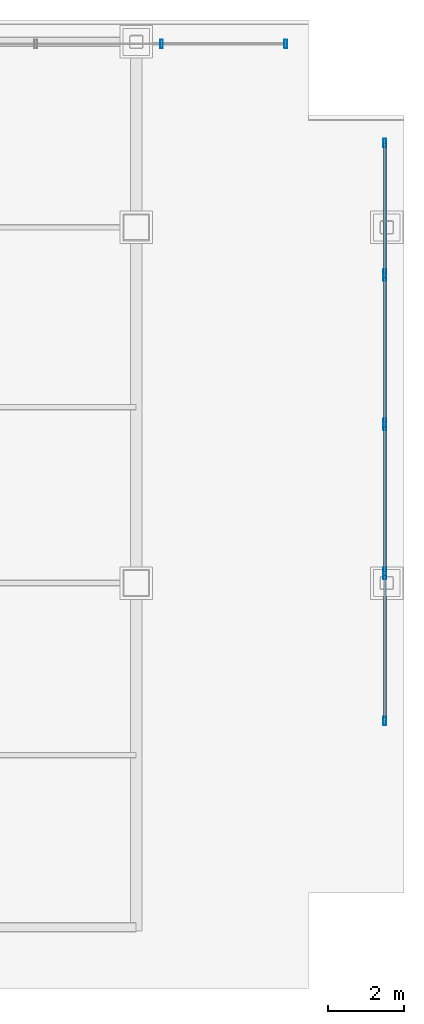
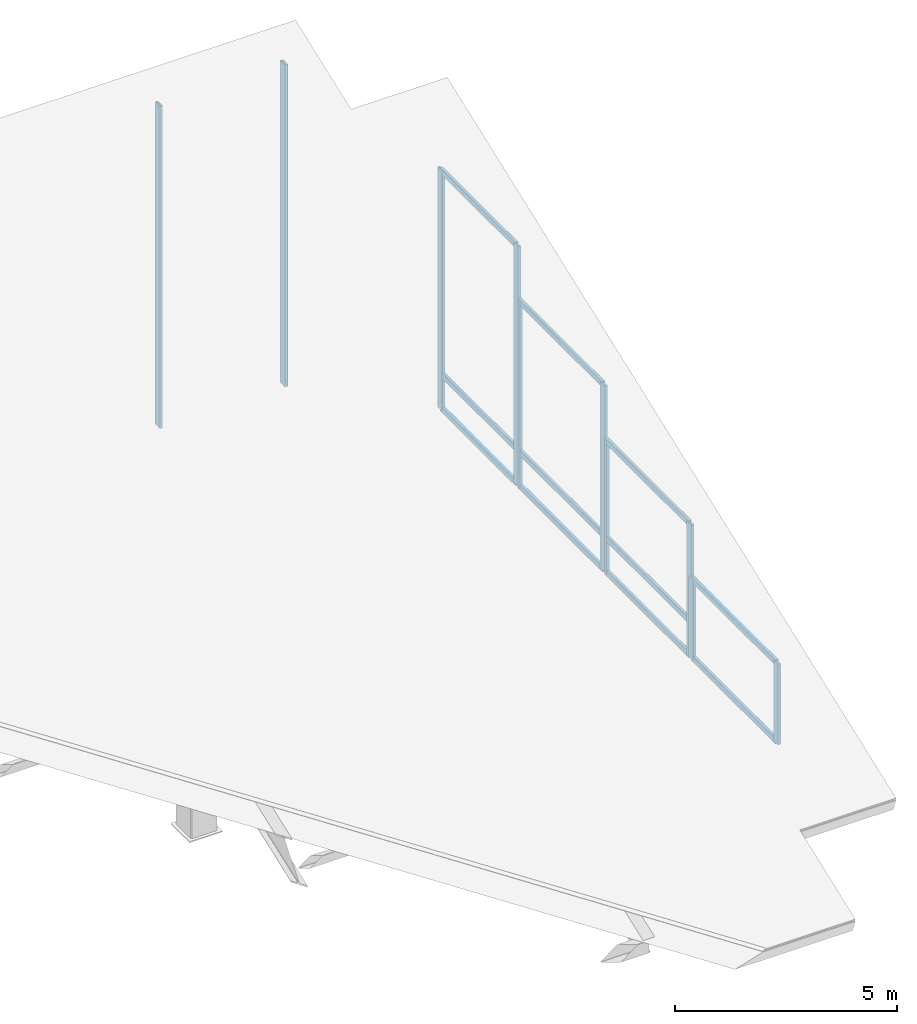
# One storey, part 10 of 12: 21 members, 5 elements without a shape of their own.
"""IFC4 building model written with IfcOpenShell, lengths in metres."""

from ifc_helpers import new_model, si_unit, direction, frame, origin, origin_2d, place, context, subcontext, project, spatial, hollow_rectangle, extrude, material, material_profile, profile_set, type_object, element, aggregate, save


model = new_model("IFC4")

# Units and contexts
model_context = context("Model", 3, precision=1e-05, world=origin(), true_north=direction((0.0, 1.0)))
body_context = subcontext(model_context, "Body", "Model", "MODEL_VIEW")
ifc_project = project(units=[si_unit("LENGTHUNIT", "METRE"), si_unit("AREAUNIT", "SQUARE_METRE"), si_unit("VOLUMEUNIT", "CUBIC_METRE"), si_unit("PLANEANGLEUNIT", "RADIAN"), si_unit("MASSUNIT", "GRAM", prefix="KILO")], contexts=[model_context])

# Site, building, storey
site_placement = place(None, origin())
site = spatial("IfcSite", under=ifc_project, at=site_placement, CompositionType="ELEMENT")
building_placement = place(site_placement, origin())
building = spatial("IfcBuilding", under=site, at=building_placement, Name="Noeulbin Bourse Tower", CompositionType="ELEMENT")
storey_placement = place(building_placement, frame((0.0, 0.0, 317.39990234375)))
storey = spatial("IfcBuildingStorey", under=building, at=storey_placement, Name="RF", CompositionType="ELEMENT", Elevation=317.39990234375)

# Curtain wall, members
ifc_material_1 = material(Name="Translucent Ceramic-Fritted Glass", Category="glass")
curtain_wall_type = type_object("IfcCurtainWallType", Name="CW-SYS-5", PredefinedType="NOTDEFINED", material=ifc_material_1)
curtain_wall_1_placement = place(storey_placement, origin())
curtain_wall_1 = element("IfcCurtainWall", 1, at=curtain_wall_1_placement, inside=storey, type_object=curtain_wall_type, Name="Unitised Curtain Wall CW-RF-CRN-N", PredefinedType="NOTDEFINED")
ifc_material_2 = material(Name="Anodised Aluminium 6063-T6", Category="aluminium")
ifc_material_profile_1 = material_profile(ifc_material_2, hollow_rectangle(XDim=0.074951171875, YDim=0.219970703125, WallThickness=0.0048828125, InnerFilletRadius=0.00244140625, OuterFilletRadius=0.0048828125, at=origin_2d()), Name="ALU-MULL-75x220x5", Category="LoadBearing")
ifc_profile_set_1 = profile_set([ifc_material_profile_1], Name="Anodised Aluminium 6063-T6")
member_type_1 = type_object("IfcMemberType", Name="CW-SYS-5-MUL", PredefinedType="MULLION", material=ifc_profile_set_1)
member_1_placement = place(storey_placement, frame((44.659912109375, 43.10009765625, -0.02001953125), z_axis=(0.0, 0.0, 1.0), x_axis=(1.0, 0.0, 0.0)))
member_1 = element("IfcMember", 2, at=member_1_placement, type_object=member_type_1, Name="Curtain Wall Mullion CW-RF-CRN-N-M09", PredefinedType="MULLION", context=body_context, shape_type="SweptSolid", body=[
    extrude(hollow_rectangle(XDim=0.074951171875, YDim=0.219970703125, WallThickness=0.0048828125, InnerFilletRadius=0.00244140625, OuterFilletRadius=0.0048828125, at=origin_2d()), origin(), (0.0, 0.0, 1.0), 8.851318359375),
])
member_2_placement = place(storey_placement, frame((47.909912109375, 43.10009765625, -0.02001953125), z_axis=(0.0, 0.0, 1.0), x_axis=(1.0, 0.0, 0.0)))
member_2 = element("IfcMember", 3, at=member_2_placement, type_object=member_type_1, Name="Curtain Wall Mullion CW-RF-CRN-N-M10", PredefinedType="MULLION", context=body_context, shape_type="SweptSolid", body=[
    extrude(hollow_rectangle(XDim=0.074951171875, YDim=0.219970703125, WallThickness=0.0048828125, InnerFilletRadius=0.00244140625, OuterFilletRadius=0.0048828125, at=origin_2d()), origin(), (0.0, 0.0, 1.0), 8.851318359375),
])
aggregate(curtain_wall_1, [member_1, member_2])

curtain_wall_2_placement = place(storey_placement, origin())
curtain_wall_2 = element("IfcCurtainWall", 4, at=curtain_wall_2_placement, inside=storey, type_object=curtain_wall_type, Name="Unitised Curtain Wall CW-RF-CRN-E2", PredefinedType="NOTDEFINED")
member_3_placement = place(storey_placement, frame((50.5, 25.389892578125, -0.02001953125), z_axis=(0.0, 0.0, 1.0), x_axis=(1.0, 0.0, 0.0)))
member_3 = element("IfcMember", 5, at=member_3_placement, type_object=member_type_1, Name="Curtain Wall Mullion CW-RF-CRN-E2-M00", PredefinedType="MULLION", context=body_context, shape_type="SweptSolid", body=[
    extrude(hollow_rectangle(XDim=0.074951171875, YDim=0.219970703125, WallThickness=0.0048828125, InnerFilletRadius=0.00244140625, OuterFilletRadius=0.0048828125, at=origin_2d()), origin(), (0.0, 0.0, 1.0), 2.21484375),
])
member_4_placement = place(storey_placement, frame((50.5, 29.2099609375, -0.02001953125), z_axis=(0.0, 0.0, 1.0), x_axis=(1.0, 0.0, 0.0)))
member_4 = element("IfcMember", 6, at=member_4_placement, type_object=member_type_1, Name="Curtain Wall Mullion CW-RF-CRN-E2-M01", PredefinedType="MULLION", context=body_context, shape_type="SweptSolid", body=[
    extrude(hollow_rectangle(XDim=0.074951171875, YDim=0.219970703125, WallThickness=0.0048828125, InnerFilletRadius=0.00244140625, OuterFilletRadius=0.0048828125, at=origin_2d()), origin(), (0.0, 0.0, 1.0), 2.21484375),
])

curtain_wall_3_placement = place(storey_placement, origin())
curtain_wall_3 = element("IfcCurtainWall", 7, at=curtain_wall_3_placement, inside=storey, type_object=curtain_wall_type, Name="Unitised Curtain Wall CW-RF-CRN-E3", PredefinedType="NOTDEFINED")
member_5_placement = place(storey_placement, frame((50.5, 29.2900390625, -0.02001953125), z_axis=(0.0, 0.0, 1.0), x_axis=(1.0, 0.0, 0.0)))
member_5 = element("IfcMember", 8, at=member_5_placement, type_object=member_type_1, Name="Curtain Wall Mullion CW-RF-CRN-E3-M00", PredefinedType="MULLION", context=body_context, shape_type="SweptSolid", body=[
    extrude(hollow_rectangle(XDim=0.074951171875, YDim=0.219970703125, WallThickness=0.0048828125, InnerFilletRadius=0.00244140625, OuterFilletRadius=0.0048828125, at=origin_2d()), origin(), (0.0, 0.0, 1.0), 3.673095703125),
])
member_6_placement = place(storey_placement, frame((50.5, 33.110107421875, -0.02001953125), z_axis=(0.0, 0.0, 1.0), x_axis=(1.0, 0.0, 0.0)))
member_6 = element("IfcMember", 9, at=member_6_placement, type_object=member_type_1, Name="Curtain Wall Mullion CW-RF-CRN-E3-M01", PredefinedType="MULLION", context=body_context, shape_type="SweptSolid", body=[
    extrude(hollow_rectangle(XDim=0.074951171875, YDim=0.219970703125, WallThickness=0.0048828125, InnerFilletRadius=0.00244140625, OuterFilletRadius=0.0048828125, at=origin_2d()), origin(), (0.0, 0.0, 1.0), 3.673095703125),
])

curtain_wall_4_placement = place(storey_placement, origin())
curtain_wall_4 = element("IfcCurtainWall", 10, at=curtain_wall_4_placement, inside=storey, type_object=curtain_wall_type, Name="Unitised Curtain Wall CW-RF-CRN-E4", PredefinedType="NOTDEFINED")
member_7_placement = place(storey_placement, frame((50.5, 33.18994140625, -0.02001953125), z_axis=(0.0, 0.0, 1.0), x_axis=(1.0, 0.0, 0.0)))
member_7 = element("IfcMember", 11, at=member_7_placement, type_object=member_type_1, Name="Curtain Wall Mullion CW-RF-CRN-E4-M00", PredefinedType="MULLION", context=body_context, shape_type="SweptSolid", body=[
    extrude(hollow_rectangle(XDim=0.074951171875, YDim=0.219970703125, WallThickness=0.0048828125, InnerFilletRadius=0.00244140625, OuterFilletRadius=0.0048828125, at=origin_2d()), origin(), (0.0, 0.0, 1.0), 5.131103515625),
])
member_8_placement = place(storey_placement, frame((50.5, 37.010009765625, -0.02001953125), z_axis=(0.0, 0.0, 1.0), x_axis=(1.0, 0.0, 0.0)))
member_8 = element("IfcMember", 12, at=member_8_placement, type_object=member_type_1, Name="Curtain Wall Mullion CW-RF-CRN-E4-M01", PredefinedType="MULLION", context=body_context, shape_type="SweptSolid", body=[
    extrude(hollow_rectangle(XDim=0.074951171875, YDim=0.219970703125, WallThickness=0.0048828125, InnerFilletRadius=0.00244140625, OuterFilletRadius=0.0048828125, at=origin_2d()), origin(), (0.0, 0.0, 1.0), 5.131103515625),
])

curtain_wall_5_placement = place(storey_placement, origin())
curtain_wall_5 = element("IfcCurtainWall", 13, at=curtain_wall_5_placement, inside=storey, type_object=curtain_wall_type, Name="Unitised Curtain Wall CW-RF-CRN-E5", PredefinedType="NOTDEFINED")
member_9_placement = place(storey_placement, frame((50.5, 37.090087890625, -0.02001953125), z_axis=(0.0, 0.0, 1.0), x_axis=(1.0, 0.0, 0.0)))
member_9 = element("IfcMember", 14, at=member_9_placement, type_object=member_type_1, Name="Curtain Wall Mullion CW-RF-CRN-E5-M00", PredefinedType="MULLION", context=body_context, shape_type="SweptSolid", body=[
    extrude(hollow_rectangle(XDim=0.074951171875, YDim=0.219970703125, WallThickness=0.0048828125, InnerFilletRadius=0.00244140625, OuterFilletRadius=0.0048828125, at=origin_2d()), origin(), (0.0, 0.0, 1.0), 6.58935546875),
])
member_10_placement = place(storey_placement, frame((50.5, 40.510009765625, -0.02001953125), z_axis=(0.0, 0.0, 1.0), x_axis=(1.0, 0.0, 0.0)))
member_10 = element("IfcMember", 15, at=member_10_placement, type_object=member_type_1, Name="Curtain Wall Mullion CW-RF-CRN-E5-M01", PredefinedType="MULLION", context=body_context, shape_type="SweptSolid", body=[
    extrude(hollow_rectangle(XDim=0.074951171875, YDim=0.219970703125, WallThickness=0.0048828125, InnerFilletRadius=0.00244140625, OuterFilletRadius=0.0048828125, at=origin_2d()), origin(), (0.0, 0.0, 1.0), 6.58935546875),
])

# Member
ifc_material_profile_2 = material_profile(ifc_material_2, hollow_rectangle(XDim=0.074951171875, YDim=0.159912109375, WallThickness=0.0048828125, InnerFilletRadius=0.00244140625, OuterFilletRadius=0.0048828125, at=origin_2d()), Name="ALU-TRAN-75x160x5", Category="LoadBearing")
ifc_profile_set_2 = profile_set([ifc_material_profile_2], Name="Anodised Aluminium 6063-T6")
member_type_2 = type_object("IfcMemberType", Name="CW-SYS-5-TRN", PredefinedType="USERDEFINED", material=ifc_profile_set_2)
member_11_placement = place(storey_placement, frame((50.5, 25.39990234375, 0.010009765625), z_axis=(0.0, 1.0, 0.0), x_axis=(-1.0, 0.0, 0.0)))
member_11 = element("IfcMember", 16, at=member_11_placement, type_object=member_type_2, Name="Curtain Wall Transom CW-RF-CRN-E2-T00", ObjectType="TRANSOM", PredefinedType="USERDEFINED", context=body_context, shape_type="SweptSolid", body=[
    extrude(hollow_rectangle(XDim=0.074951171875, YDim=0.159912109375, WallThickness=0.0048828125, InnerFilletRadius=0.00244140625, OuterFilletRadius=0.0048828125, at=origin_2d()), origin(), (0.0, 0.0, 1.0), 3.800048828125),
])

member_12_placement = place(storey_placement, frame((50.5, 25.39990234375, 2.164794921875), z_axis=(0.0, 1.0, 0.0), x_axis=(-1.0, 0.0, 0.0)))
member_12 = element("IfcMember", 17, at=member_12_placement, type_object=member_type_2, Name="Curtain Wall Transom CW-RF-CRN-E2-T01", ObjectType="TRANSOM", PredefinedType="USERDEFINED", context=body_context, shape_type="SweptSolid", body=[
    extrude(hollow_rectangle(XDim=0.074951171875, YDim=0.159912109375, WallThickness=0.0048828125, InnerFilletRadius=0.00244140625, OuterFilletRadius=0.0048828125, at=origin_2d()), origin(), (0.0, 0.0, 1.0), 3.800048828125),
])

aggregate(curtain_wall_2, [member_3, member_4, member_11, member_12])

member_13_placement = place(storey_placement, frame((50.5, 29.300048828125, 0.010009765625), z_axis=(0.0, 1.0, 0.0), x_axis=(-1.0, 0.0, 0.0)))
member_13 = element("IfcMember", 18, at=member_13_placement, type_object=member_type_2, Name="Curtain Wall Transom CW-RF-CRN-E3-T00", ObjectType="TRANSOM", PredefinedType="USERDEFINED", context=body_context, shape_type="SweptSolid", body=[
    extrude(hollow_rectangle(XDim=0.074951171875, YDim=0.159912109375, WallThickness=0.0048828125, InnerFilletRadius=0.00244140625, OuterFilletRadius=0.0048828125, at=origin_2d()), origin(), (0.0, 0.0, 1.0), 3.800048828125),
])

member_14_placement = place(storey_placement, frame((50.5, 29.300048828125, 0.9501953125), z_axis=(0.0, 1.0, 0.0), x_axis=(-1.0, 0.0, 0.0)))
member_14 = element("IfcMember", 19, at=member_14_placement, type_object=member_type_2, Name="Curtain Wall Transom CW-RF-CRN-E3-T01", ObjectType="TRANSOM", PredefinedType="USERDEFINED", context=body_context, shape_type="SweptSolid", body=[
    extrude(hollow_rectangle(XDim=0.074951171875, YDim=0.159912109375, WallThickness=0.0048828125, InnerFilletRadius=0.00244140625, OuterFilletRadius=0.0048828125, at=origin_2d()), origin(), (0.0, 0.0, 1.0), 3.800048828125),
])

member_15_placement = place(storey_placement, frame((50.5, 29.300048828125, 3.623046875), z_axis=(0.0, 1.0, 0.0), x_axis=(-1.0, 0.0, 0.0)))
member_15 = element("IfcMember", 20, at=member_15_placement, type_object=member_type_2, Name="Curtain Wall Transom CW-RF-CRN-E3-T02", ObjectType="TRANSOM", PredefinedType="USERDEFINED", context=body_context, shape_type="SweptSolid", body=[
    extrude(hollow_rectangle(XDim=0.074951171875, YDim=0.159912109375, WallThickness=0.0048828125, InnerFilletRadius=0.00244140625, OuterFilletRadius=0.0048828125, at=origin_2d()), origin(), (0.0, 0.0, 1.0), 3.800048828125),
])

aggregate(curtain_wall_3, [member_5, member_6, member_13, member_14, member_15])

member_16_placement = place(storey_placement, frame((50.5, 33.199951171875, 0.010009765625), z_axis=(0.0, 1.0, 0.0), x_axis=(-1.0, 0.0, 0.0)))
member_16 = element("IfcMember", 21, at=member_16_placement, type_object=member_type_2, Name="Curtain Wall Transom CW-RF-CRN-E4-T00", ObjectType="TRANSOM", PredefinedType="USERDEFINED", context=body_context, shape_type="SweptSolid", body=[
    extrude(hollow_rectangle(XDim=0.074951171875, YDim=0.159912109375, WallThickness=0.0048828125, InnerFilletRadius=0.00244140625, OuterFilletRadius=0.0048828125, at=origin_2d()), origin(), (0.0, 0.0, 1.0), 3.800048828125),
])

member_17_placement = place(storey_placement, frame((50.5, 33.199951171875, 0.9501953125), z_axis=(0.0, 1.0, 0.0), x_axis=(-1.0, 0.0, 0.0)))
member_17 = element("IfcMember", 22, at=member_17_placement, type_object=member_type_2, Name="Curtain Wall Transom CW-RF-CRN-E4-T01", ObjectType="TRANSOM", PredefinedType="USERDEFINED", context=body_context, shape_type="SweptSolid", body=[
    extrude(hollow_rectangle(XDim=0.074951171875, YDim=0.159912109375, WallThickness=0.0048828125, InnerFilletRadius=0.00244140625, OuterFilletRadius=0.0048828125, at=origin_2d()), origin(), (0.0, 0.0, 1.0), 3.800048828125),
])

member_18_placement = place(storey_placement, frame((50.5, 33.199951171875, 5.081298828125), z_axis=(0.0, 1.0, 0.0), x_axis=(-1.0, 0.0, 0.0)))
member_18 = element("IfcMember", 23, at=member_18_placement, type_object=member_type_2, Name="Curtain Wall Transom CW-RF-CRN-E4-T02", ObjectType="TRANSOM", PredefinedType="USERDEFINED", context=body_context, shape_type="SweptSolid", body=[
    extrude(hollow_rectangle(XDim=0.074951171875, YDim=0.159912109375, WallThickness=0.0048828125, InnerFilletRadius=0.00244140625, OuterFilletRadius=0.0048828125, at=origin_2d()), origin(), (0.0, 0.0, 1.0), 3.800048828125),
])

aggregate(curtain_wall_4, [member_7, member_8, member_16, member_17, member_18])

member_19_placement = place(storey_placement, frame((50.5, 37.10009765625, 0.010009765625), z_axis=(0.0, 1.0, 0.0), x_axis=(-1.0, 0.0, 0.0)))
member_19 = element("IfcMember", 24, at=member_19_placement, type_object=member_type_2, Name="Curtain Wall Transom CW-RF-CRN-E5-T00", ObjectType="TRANSOM", PredefinedType="USERDEFINED", context=body_context, shape_type="SweptSolid", body=[
    extrude(hollow_rectangle(XDim=0.074951171875, YDim=0.159912109375, WallThickness=0.0048828125, InnerFilletRadius=0.00244140625, OuterFilletRadius=0.0048828125, at=origin_2d()), origin(), (0.0, 0.0, 1.0), 3.39990234375),
])

member_20_placement = place(storey_placement, frame((50.5, 37.10009765625, 0.9501953125), z_axis=(0.0, 1.0, 0.0), x_axis=(-1.0, 0.0, 0.0)))
member_20 = element("IfcMember", 25, at=member_20_placement, type_object=member_type_2, Name="Curtain Wall Transom CW-RF-CRN-E5-T01", ObjectType="TRANSOM", PredefinedType="USERDEFINED", context=body_context, shape_type="SweptSolid", body=[
    extrude(hollow_rectangle(XDim=0.074951171875, YDim=0.159912109375, WallThickness=0.0048828125, InnerFilletRadius=0.00244140625, OuterFilletRadius=0.0048828125, at=origin_2d()), origin(), (0.0, 0.0, 1.0), 3.39990234375),
])

member_21_placement = place(storey_placement, frame((50.5, 37.10009765625, 6.539306640625), z_axis=(0.0, 1.0, 0.0), x_axis=(-1.0, 0.0, 0.0)))
member_21 = element("IfcMember", 26, at=member_21_placement, type_object=member_type_2, Name="Curtain Wall Transom CW-RF-CRN-E5-T02", ObjectType="TRANSOM", PredefinedType="USERDEFINED", context=body_context, shape_type="SweptSolid", body=[
    extrude(hollow_rectangle(XDim=0.074951171875, YDim=0.159912109375, WallThickness=0.0048828125, InnerFilletRadius=0.00244140625, OuterFilletRadius=0.0048828125, at=origin_2d()), origin(), (0.0, 0.0, 1.0), 3.39990234375),
])

aggregate(curtain_wall_5, [member_9, member_10, member_19, member_20, member_21])

save(model, "model.ifc")
